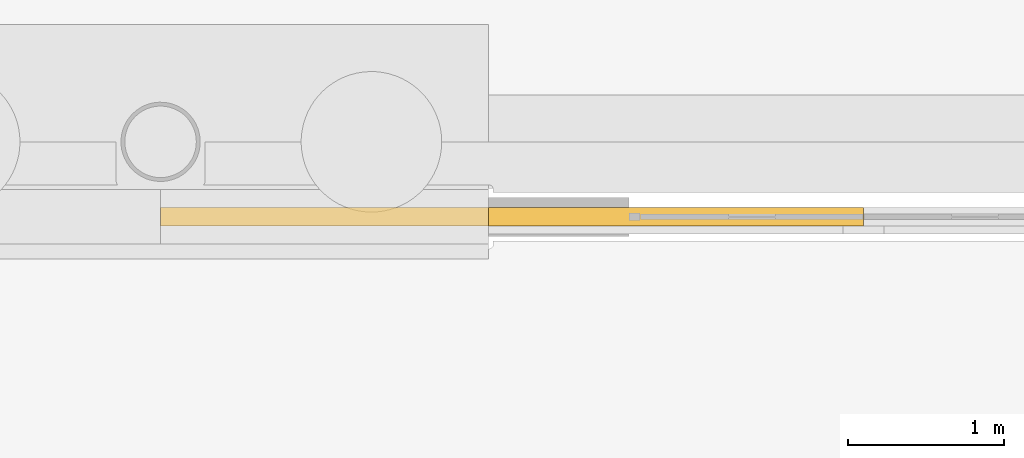
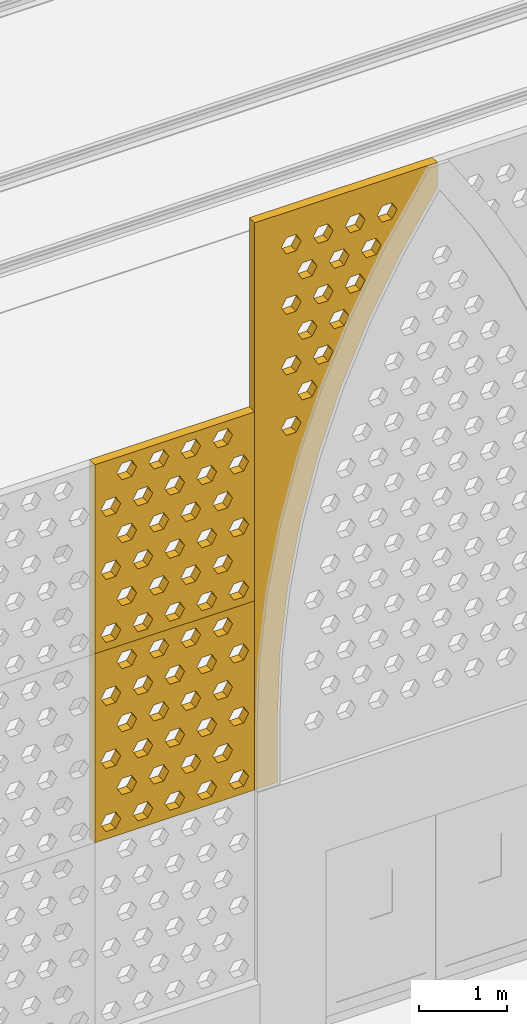
# One storey, part 200 of 250: 3 shading devices.
"""IFC4 building model written with IfcOpenShell, lengths in metres."""

from ifc_helpers import new_model, si_unit, direction, frame, origin, place, context, subcontext, project, spatial, polyline, outline, extrude, material, layer, layer_set, type_object, element, save


model = new_model("IFC4")

# Units and contexts
model_context = context("Model", 3, precision=1e-05, world=origin(), true_north=direction((0.0, 1.0)))
body_context = subcontext(model_context, "Body", "Model", "MODEL_VIEW")
ifc_project = project(units=[si_unit("LENGTHUNIT", "METRE"), si_unit("AREAUNIT", "SQUARE_METRE"), si_unit("VOLUMEUNIT", "CUBIC_METRE"), si_unit("PLANEANGLEUNIT", "RADIAN"), si_unit("MASSUNIT", "GRAM", prefix="KILO")], contexts=[model_context])

# Site, building, storey
site_placement = place(None, origin())
site = spatial("IfcSite", under=ifc_project, at=site_placement, CompositionType="ELEMENT")
building_placement = place(site_placement, origin())
building = spatial("IfcBuilding", under=site, at=building_placement, Name="Baradari Gate Terminus", CompositionType="ELEMENT")
storey_placement = place(building_placement, origin())
storey = spatial("IfcBuildingStorey", under=building, at=storey_placement, Name="L00", CompositionType="ELEMENT", Elevation=0.0)

# Shading devices
ifc_material = material(Name="Concrete C50/60 precast", Category="concrete")
ifc_layer = layer(ifc_material, 0.1201171875)
ifc_layer_set = layer_set([ifc_layer], Name="Concrete C50/60 precast")
shading_device_type = type_object("IfcShadingDeviceType", Name="Jali screen panel JS-2 120", PredefinedType="SHUTTER", material=ifc_layer_set)
shading_device_1_placement = place(storey_placement, frame((198.0, 35.52001953125, 3.52490234375), z_axis=(0.0, 0.0, 1.0), x_axis=(1.0, 0.0, 0.0)))
element("IfcShadingDevice", 1, at=shading_device_1_placement, inside=storey, type_object=shading_device_type, Name="Jali screen panel JS-2 SC05a row 2 panel 1", PredefinedType="SHUTTER", context=body_context, shape_type="SweptSolid", body=[
    extrude(outline(polyline([(0.0, 0.0), (2.10009765625, 0.0), (2.10009765625, 2.625), (0.0, 2.625), (0.0, 0.0)]), holes=[polyline([(0.340087890625, 0.21875), (0.27490234375, 0.106201171875), (0.14501953125, 0.106201171875), (0.080078125, 0.21875), (0.14501953125, 0.33154296875), (0.27490234375, 0.33154296875), (0.340087890625, 0.21875)]), polyline([(0.760009765625, 0.21875), (0.695068359375, 0.106201171875), (0.56494140625, 0.106201171875), (0.5, 0.21875), (0.56494140625, 0.33154296875), (0.695068359375, 0.33154296875), (0.760009765625, 0.21875)]), polyline([(1.179931640625, 0.21875), (1.114990234375, 0.106201171875), (0.985107421875, 0.106201171875), (0.919921875, 0.21875), (0.985107421875, 0.33154296875), (1.114990234375, 0.33154296875), (1.179931640625, 0.21875)]), polyline([(1.60009765625, 0.21875), (1.534912109375, 0.106201171875), (1.405029296875, 0.106201171875), (1.340087890625, 0.21875), (1.405029296875, 0.33154296875), (1.534912109375, 0.33154296875), (1.60009765625, 0.21875)]), polyline([(2.02001953125, 0.21875), (1.955078125, 0.106201171875), (1.824951171875, 0.106201171875), (1.760009765625, 0.21875), (1.824951171875, 0.33154296875), (1.955078125, 0.33154296875), (2.02001953125, 0.21875)]), polyline([(0.550048828125, 0.65625), (0.485107421875, 0.543701171875), (0.35498046875, 0.543701171875), (0.2900390625, 0.65625), (0.35498046875, 0.76904296875), (0.485107421875, 0.76904296875), (0.550048828125, 0.65625)]), polyline([(0.969970703125, 0.65625), (0.905029296875, 0.543701171875), (0.77490234375, 0.543701171875), (0.7099609375, 0.65625), (0.77490234375, 0.76904296875), (0.905029296875, 0.76904296875), (0.969970703125, 0.65625)]), polyline([(1.389892578125, 0.65625), (1.324951171875, 0.543701171875), (1.195068359375, 0.543701171875), (1.1298828125, 0.65625), (1.195068359375, 0.76904296875), (1.324951171875, 0.76904296875), (1.389892578125, 0.65625)]), polyline([(1.81005859375, 0.65625), (1.7451171875, 0.543701171875), (1.614990234375, 0.543701171875), (1.550048828125, 0.65625), (1.614990234375, 0.76904296875), (1.7451171875, 0.76904296875), (1.81005859375, 0.65625)]), polyline([(0.340087890625, 1.09375), (0.27490234375, 0.981201171875), (0.14501953125, 0.981201171875), (0.080078125, 1.09375), (0.14501953125, 1.20654296875), (0.27490234375, 1.20654296875), (0.340087890625, 1.09375)]), polyline([(0.760009765625, 1.09375), (0.695068359375, 0.981201171875), (0.56494140625, 0.981201171875), (0.5, 1.09375), (0.56494140625, 1.20654296875), (0.695068359375, 1.20654296875), (0.760009765625, 1.09375)]), polyline([(1.179931640625, 1.09375), (1.114990234375, 0.981201171875), (0.985107421875, 0.981201171875), (0.919921875, 1.09375), (0.985107421875, 1.20654296875), (1.114990234375, 1.20654296875), (1.179931640625, 1.09375)]), polyline([(1.60009765625, 1.09375), (1.534912109375, 0.981201171875), (1.405029296875, 0.981201171875), (1.340087890625, 1.09375), (1.405029296875, 1.20654296875), (1.534912109375, 1.20654296875), (1.60009765625, 1.09375)]), polyline([(2.02001953125, 1.09375), (1.955078125, 0.981201171875), (1.824951171875, 0.981201171875), (1.760009765625, 1.09375), (1.824951171875, 1.20654296875), (1.955078125, 1.20654296875), (2.02001953125, 1.09375)]), polyline([(0.550048828125, 1.53125), (0.485107421875, 1.418701171875), (0.35498046875, 1.418701171875), (0.2900390625, 1.53125), (0.35498046875, 1.64404296875), (0.485107421875, 1.64404296875), (0.550048828125, 1.53125)]), polyline([(0.969970703125, 1.53125), (0.905029296875, 1.418701171875), (0.77490234375, 1.418701171875), (0.7099609375, 1.53125), (0.77490234375, 1.64404296875), (0.905029296875, 1.64404296875), (0.969970703125, 1.53125)]), polyline([(1.389892578125, 1.53125), (1.324951171875, 1.418701171875), (1.195068359375, 1.418701171875), (1.1298828125, 1.53125), (1.195068359375, 1.64404296875), (1.324951171875, 1.64404296875), (1.389892578125, 1.53125)]), polyline([(1.81005859375, 1.53125), (1.7451171875, 1.418701171875), (1.614990234375, 1.418701171875), (1.550048828125, 1.53125), (1.614990234375, 1.64404296875), (1.7451171875, 1.64404296875), (1.81005859375, 1.53125)]), polyline([(0.340087890625, 1.96875), (0.27490234375, 1.856201171875), (0.14501953125, 1.856201171875), (0.080078125, 1.96875), (0.14501953125, 2.08154296875), (0.27490234375, 2.08154296875), (0.340087890625, 1.96875)]), polyline([(0.760009765625, 1.96875), (0.695068359375, 1.856201171875), (0.56494140625, 1.856201171875), (0.5, 1.96875), (0.56494140625, 2.08154296875), (0.695068359375, 2.08154296875), (0.760009765625, 1.96875)]), polyline([(1.179931640625, 1.96875), (1.114990234375, 1.856201171875), (0.985107421875, 1.856201171875), (0.919921875, 1.96875), (0.985107421875, 2.08154296875), (1.114990234375, 2.08154296875), (1.179931640625, 1.96875)]), polyline([(1.60009765625, 1.96875), (1.534912109375, 1.856201171875), (1.405029296875, 1.856201171875), (1.340087890625, 1.96875), (1.405029296875, 2.08154296875), (1.534912109375, 2.08154296875), (1.60009765625, 1.96875)]), polyline([(2.02001953125, 1.96875), (1.955078125, 1.856201171875), (1.824951171875, 1.856201171875), (1.760009765625, 1.96875), (1.824951171875, 2.08154296875), (1.955078125, 2.08154296875), (2.02001953125, 1.96875)]), polyline([(0.550048828125, 2.40625), (0.485107421875, 2.293701171875), (0.35498046875, 2.293701171875), (0.2900390625, 2.40625), (0.35498046875, 2.51904296875), (0.485107421875, 2.51904296875), (0.550048828125, 2.40625)]), polyline([(0.969970703125, 2.40625), (0.905029296875, 2.293701171875), (0.77490234375, 2.293701171875), (0.7099609375, 2.40625), (0.77490234375, 2.51904296875), (0.905029296875, 2.51904296875), (0.969970703125, 2.40625)]), polyline([(1.389892578125, 2.40625), (1.324951171875, 2.293701171875), (1.195068359375, 2.293701171875), (1.1298828125, 2.40625), (1.195068359375, 2.51904296875), (1.324951171875, 2.51904296875), (1.389892578125, 2.40625)]), polyline([(1.81005859375, 2.40625), (1.7451171875, 2.293701171875), (1.614990234375, 2.293701171875), (1.550048828125, 2.40625), (1.614990234375, 2.51904296875), (1.7451171875, 2.51904296875), (1.81005859375, 2.40625)])]), frame((0.0, 0.06005859375, 0.0), z_axis=(0.0, -1.0, 0.0), x_axis=(1.0, 0.0, 0.0)), (0.0, 0.0, 1.0), 0.1201171875),
])
shading_device_2_placement = place(storey_placement, frame((198.0, 35.52001953125, 6.14990234375), z_axis=(0.0, 0.0, 1.0), x_axis=(1.0, 0.0, 0.0)))
element("IfcShadingDevice", 2, at=shading_device_2_placement, inside=storey, type_object=shading_device_type, Name="Jali screen panel JS-2 SC05a row 3 panel 1", PredefinedType="SHUTTER", context=body_context, shape_type="SweptSolid", body=[
    extrude(outline(polyline([(0.0, 0.0), (2.10009765625, 0.0), (2.10009765625, 2.625), (0.0, 2.625), (0.0, 0.0)]), holes=[polyline([(0.340087890625, 0.21875), (0.27490234375, 0.106201171875), (0.14501953125, 0.106201171875), (0.080078125, 0.21875), (0.14501953125, 0.33154296875), (0.27490234375, 0.33154296875), (0.340087890625, 0.21875)]), polyline([(0.760009765625, 0.21875), (0.695068359375, 0.106201171875), (0.56494140625, 0.106201171875), (0.5, 0.21875), (0.56494140625, 0.33154296875), (0.695068359375, 0.33154296875), (0.760009765625, 0.21875)]), polyline([(1.179931640625, 0.21875), (1.114990234375, 0.106201171875), (0.985107421875, 0.106201171875), (0.919921875, 0.21875), (0.985107421875, 0.33154296875), (1.114990234375, 0.33154296875), (1.179931640625, 0.21875)]), polyline([(1.60009765625, 0.21875), (1.534912109375, 0.106201171875), (1.405029296875, 0.106201171875), (1.340087890625, 0.21875), (1.405029296875, 0.33154296875), (1.534912109375, 0.33154296875), (1.60009765625, 0.21875)]), polyline([(2.02001953125, 0.21875), (1.955078125, 0.106201171875), (1.824951171875, 0.106201171875), (1.760009765625, 0.21875), (1.824951171875, 0.33154296875), (1.955078125, 0.33154296875), (2.02001953125, 0.21875)]), polyline([(0.550048828125, 0.65625), (0.485107421875, 0.543701171875), (0.35498046875, 0.543701171875), (0.2900390625, 0.65625), (0.35498046875, 0.76904296875), (0.485107421875, 0.76904296875), (0.550048828125, 0.65625)]), polyline([(0.969970703125, 0.65625), (0.905029296875, 0.543701171875), (0.77490234375, 0.543701171875), (0.7099609375, 0.65625), (0.77490234375, 0.76904296875), (0.905029296875, 0.76904296875), (0.969970703125, 0.65625)]), polyline([(1.389892578125, 0.65625), (1.324951171875, 0.543701171875), (1.195068359375, 0.543701171875), (1.1298828125, 0.65625), (1.195068359375, 0.76904296875), (1.324951171875, 0.76904296875), (1.389892578125, 0.65625)]), polyline([(1.81005859375, 0.65625), (1.7451171875, 0.543701171875), (1.614990234375, 0.543701171875), (1.550048828125, 0.65625), (1.614990234375, 0.76904296875), (1.7451171875, 0.76904296875), (1.81005859375, 0.65625)]), polyline([(0.340087890625, 1.09375), (0.27490234375, 0.981201171875), (0.14501953125, 0.981201171875), (0.080078125, 1.09375), (0.14501953125, 1.20654296875), (0.27490234375, 1.20654296875), (0.340087890625, 1.09375)]), polyline([(0.760009765625, 1.09375), (0.695068359375, 0.981201171875), (0.56494140625, 0.981201171875), (0.5, 1.09375), (0.56494140625, 1.20654296875), (0.695068359375, 1.20654296875), (0.760009765625, 1.09375)]), polyline([(1.179931640625, 1.09375), (1.114990234375, 0.981201171875), (0.985107421875, 0.981201171875), (0.919921875, 1.09375), (0.985107421875, 1.20654296875), (1.114990234375, 1.20654296875), (1.179931640625, 1.09375)]), polyline([(1.60009765625, 1.09375), (1.534912109375, 0.981201171875), (1.405029296875, 0.981201171875), (1.340087890625, 1.09375), (1.405029296875, 1.20654296875), (1.534912109375, 1.20654296875), (1.60009765625, 1.09375)]), polyline([(2.02001953125, 1.09375), (1.955078125, 0.981201171875), (1.824951171875, 0.981201171875), (1.760009765625, 1.09375), (1.824951171875, 1.20654296875), (1.955078125, 1.20654296875), (2.02001953125, 1.09375)]), polyline([(0.550048828125, 1.53125), (0.485107421875, 1.418701171875), (0.35498046875, 1.418701171875), (0.2900390625, 1.53125), (0.35498046875, 1.64404296875), (0.485107421875, 1.64404296875), (0.550048828125, 1.53125)]), polyline([(0.969970703125, 1.53125), (0.905029296875, 1.418701171875), (0.77490234375, 1.418701171875), (0.7099609375, 1.53125), (0.77490234375, 1.64404296875), (0.905029296875, 1.64404296875), (0.969970703125, 1.53125)]), polyline([(1.389892578125, 1.53125), (1.324951171875, 1.418701171875), (1.195068359375, 1.418701171875), (1.1298828125, 1.53125), (1.195068359375, 1.64404296875), (1.324951171875, 1.64404296875), (1.389892578125, 1.53125)]), polyline([(1.81005859375, 1.53125), (1.7451171875, 1.418701171875), (1.614990234375, 1.418701171875), (1.550048828125, 1.53125), (1.614990234375, 1.64404296875), (1.7451171875, 1.64404296875), (1.81005859375, 1.53125)]), polyline([(0.340087890625, 1.96875), (0.27490234375, 1.856201171875), (0.14501953125, 1.856201171875), (0.080078125, 1.96875), (0.14501953125, 2.08154296875), (0.27490234375, 2.08154296875), (0.340087890625, 1.96875)]), polyline([(0.760009765625, 1.96875), (0.695068359375, 1.856201171875), (0.56494140625, 1.856201171875), (0.5, 1.96875), (0.56494140625, 2.08154296875), (0.695068359375, 2.08154296875), (0.760009765625, 1.96875)]), polyline([(1.179931640625, 1.96875), (1.114990234375, 1.856201171875), (0.985107421875, 1.856201171875), (0.919921875, 1.96875), (0.985107421875, 2.08154296875), (1.114990234375, 2.08154296875), (1.179931640625, 1.96875)]), polyline([(1.60009765625, 1.96875), (1.534912109375, 1.856201171875), (1.405029296875, 1.856201171875), (1.340087890625, 1.96875), (1.405029296875, 2.08154296875), (1.534912109375, 2.08154296875), (1.60009765625, 1.96875)]), polyline([(2.02001953125, 1.96875), (1.955078125, 1.856201171875), (1.824951171875, 1.856201171875), (1.760009765625, 1.96875), (1.824951171875, 2.08154296875), (1.955078125, 2.08154296875), (2.02001953125, 1.96875)]), polyline([(0.550048828125, 2.40625), (0.485107421875, 2.293701171875), (0.35498046875, 2.293701171875), (0.2900390625, 2.40625), (0.35498046875, 2.51904296875), (0.485107421875, 2.51904296875), (0.550048828125, 2.40625)]), polyline([(0.969970703125, 2.40625), (0.905029296875, 2.293701171875), (0.77490234375, 2.293701171875), (0.7099609375, 2.40625), (0.77490234375, 2.51904296875), (0.905029296875, 2.51904296875), (0.969970703125, 2.40625)]), polyline([(1.389892578125, 2.40625), (1.324951171875, 2.293701171875), (1.195068359375, 2.293701171875), (1.1298828125, 2.40625), (1.195068359375, 2.51904296875), (1.324951171875, 2.51904296875), (1.389892578125, 2.40625)]), polyline([(1.81005859375, 2.40625), (1.7451171875, 2.293701171875), (1.614990234375, 2.293701171875), (1.550048828125, 2.40625), (1.614990234375, 2.51904296875), (1.7451171875, 2.51904296875), (1.81005859375, 2.40625)])]), frame((0.0, 0.06005859375, 0.0), z_axis=(0.0, -1.0, 0.0), x_axis=(1.0, 0.0, 0.0)), (0.0, 0.0, 1.0), 0.1201171875),
])
shading_device_3_placement = place(storey_placement, frame((200.10009765625, 35.52001953125, 3.52490234375), z_axis=(0.0, 0.0, 1.0), x_axis=(1.0, 0.0, 0.0)))
element("IfcShadingDevice", 3, at=shading_device_3_placement, inside=storey, type_object=shading_device_type, Name="Jali screen panel JS-2 SC05b arch L1", PredefinedType="SHUTTER", context=body_context, shape_type="SweptSolid", body=[
    extrude(outline(polyline([(0.0, 0.0), (0.300048828125, 0.0), (0.300048828125, 0.900146484375), (0.333740234375, 1.78173828125), (0.435302734375, 2.658203125), (0.603515625, 3.5244140625), (0.837646484375, 4.375), (1.13623046875, 5.205322265625), (1.49755859375, 6.01025390625), (1.919677734375, 6.784912109375), (2.39990234375, 7.525146484375), (2.39990234375, 7.875), (0.0, 7.875), (0.0, 0.0)]), holes=[polyline([(0.610107421875, 4.89013671875), (0.544921875, 4.777587890625), (0.4150390625, 4.777587890625), (0.35009765625, 4.89013671875), (0.4150390625, 5.002685546875), (0.544921875, 5.002685546875), (0.610107421875, 4.89013671875)]), polyline([(0.820068359375, 5.31005859375), (0.7548828125, 5.197509765625), (0.625, 5.197509765625), (0.56005859375, 5.31005859375), (0.625, 5.422607421875), (0.7548828125, 5.422607421875), (0.820068359375, 5.31005859375)]), polyline([(0.610107421875, 5.72998046875), (0.544921875, 5.617431640625), (0.4150390625, 5.617431640625), (0.35009765625, 5.72998046875), (0.4150390625, 5.8427734375), (0.544921875, 5.8427734375), (0.610107421875, 5.72998046875)]), polyline([(1.030029296875, 5.72998046875), (0.965087890625, 5.617431640625), (0.8349609375, 5.617431640625), (0.77001953125, 5.72998046875), (0.8349609375, 5.8427734375), (0.965087890625, 5.8427734375), (1.030029296875, 5.72998046875)]), polyline([(0.820068359375, 6.150146484375), (0.7548828125, 6.03759765625), (0.625, 6.03759765625), (0.56005859375, 6.150146484375), (0.625, 6.2626953125), (0.7548828125, 6.2626953125), (0.820068359375, 6.150146484375)]), polyline([(1.239990234375, 6.150146484375), (1.175048828125, 6.03759765625), (1.044921875, 6.03759765625), (0.97998046875, 6.150146484375), (1.044921875, 6.2626953125), (1.175048828125, 6.2626953125), (1.239990234375, 6.150146484375)]), polyline([(0.610107421875, 6.570068359375), (0.544921875, 6.45751953125), (0.4150390625, 6.45751953125), (0.35009765625, 6.570068359375), (0.4150390625, 6.6826171875), (0.544921875, 6.6826171875), (0.610107421875, 6.570068359375)]), polyline([(1.030029296875, 6.570068359375), (0.965087890625, 6.45751953125), (0.8349609375, 6.45751953125), (0.77001953125, 6.570068359375), (0.8349609375, 6.6826171875), (0.965087890625, 6.6826171875), (1.030029296875, 6.570068359375)]), polyline([(1.449951171875, 6.570068359375), (1.385009765625, 6.45751953125), (1.2548828125, 6.45751953125), (1.18994140625, 6.570068359375), (1.2548828125, 6.6826171875), (1.385009765625, 6.6826171875), (1.449951171875, 6.570068359375)]), polyline([(0.820068359375, 6.989990234375), (0.7548828125, 6.87744140625), (0.625, 6.87744140625), (0.56005859375, 6.989990234375), (0.625, 7.102783203125), (0.7548828125, 7.102783203125), (0.820068359375, 6.989990234375)]), polyline([(1.239990234375, 6.989990234375), (1.175048828125, 6.87744140625), (1.044921875, 6.87744140625), (0.97998046875, 6.989990234375), (1.044921875, 7.102783203125), (1.175048828125, 7.102783203125), (1.239990234375, 6.989990234375)]), polyline([(1.659912109375, 6.989990234375), (1.594970703125, 6.87744140625), (1.465087890625, 6.87744140625), (1.39990234375, 6.989990234375), (1.465087890625, 7.102783203125), (1.594970703125, 7.102783203125), (1.659912109375, 6.989990234375)]), polyline([(0.610107421875, 7.41015625), (0.544921875, 7.297607421875), (0.4150390625, 7.297607421875), (0.35009765625, 7.41015625), (0.4150390625, 7.522705078125), (0.544921875, 7.522705078125), (0.610107421875, 7.41015625)]), polyline([(1.030029296875, 7.41015625), (0.965087890625, 7.297607421875), (0.8349609375, 7.297607421875), (0.77001953125, 7.41015625), (0.8349609375, 7.522705078125), (0.965087890625, 7.522705078125), (1.030029296875, 7.41015625)]), polyline([(1.449951171875, 7.41015625), (1.385009765625, 7.297607421875), (1.2548828125, 7.297607421875), (1.18994140625, 7.41015625), (1.2548828125, 7.522705078125), (1.385009765625, 7.522705078125), (1.449951171875, 7.41015625)]), polyline([(1.8701171875, 7.41015625), (1.804931640625, 7.297607421875), (1.675048828125, 7.297607421875), (1.610107421875, 7.41015625), (1.675048828125, 7.522705078125), (1.804931640625, 7.522705078125), (1.8701171875, 7.41015625)])]), frame((0.0, 0.06005859375, 0.0), z_axis=(0.0, -1.0, 0.0), x_axis=(1.0, 0.0, 0.0)), (0.0, 0.0, 1.0), 0.1201171875),
])

save(model, "model.ifc")
